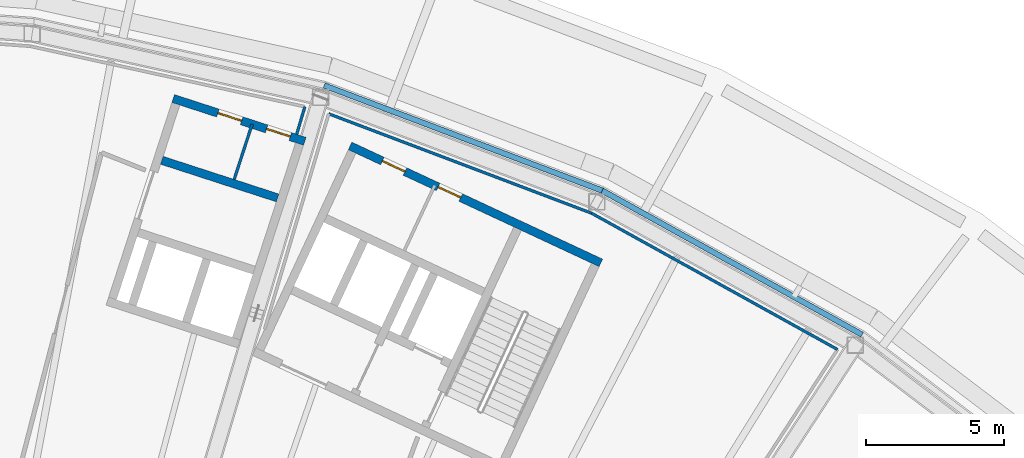
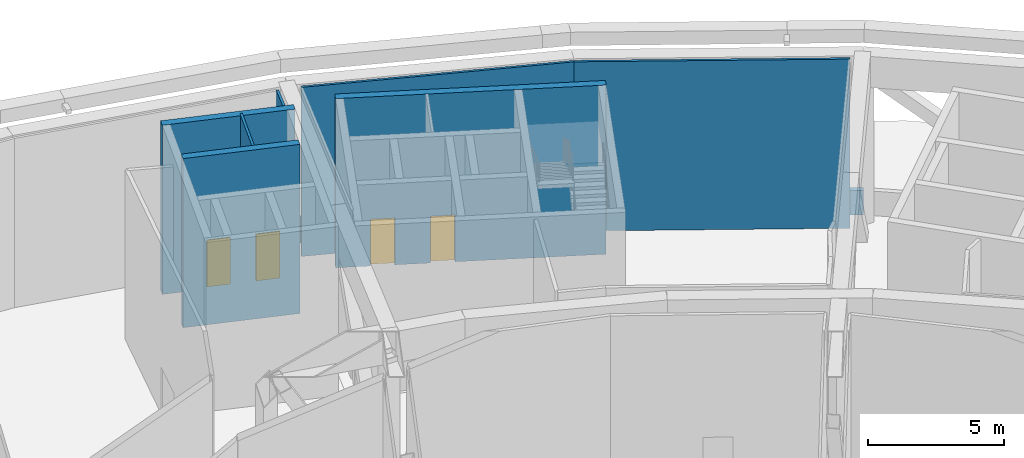
# One storey, part 11 of 24: 9 walls, 4 doors, 4 openings.
"""IFC4 building model written with IfcOpenShell, lengths in metres."""

from ifc_helpers import new_model, si_unit, direction, frame, frame_2d, origin, place, context, subcontext, project, spatial, rectangle, extrude, material, layer, layer_set, type_object, element, fill, save


model = new_model("IFC4")

# Units and contexts
model_context = context("Model", 3, precision=1e-05, world=origin(), true_north=direction((0.0, 1.0)))
body_context = subcontext(model_context, "Body", "Model", "MODEL_VIEW")
ifc_project = project(units=[si_unit("LENGTHUNIT", "METRE"), si_unit("AREAUNIT", "SQUARE_METRE"), si_unit("VOLUMEUNIT", "CUBIC_METRE"), si_unit("PLANEANGLEUNIT", "RADIAN"), si_unit("MASSUNIT", "GRAM", prefix="KILO")], contexts=[model_context])

# Site, building, storey
site_placement = place(None, origin())
site = spatial("IfcSite", under=ifc_project, at=site_placement, CompositionType="ELEMENT")
building_placement = place(site_placement, origin())
building = spatial("IfcBuilding", under=site, at=building_placement, Name="Tuul Gate Civic Tower", CompositionType="ELEMENT")
storey_placement = place(building_placement, frame((0.0, 0.0, 277.800048828125)))
storey = spatial("IfcBuildingStorey", under=building, at=storey_placement, Name="Wind floor 2", CompositionType="ELEMENT", Elevation=277.800048828125)

# Wall, openings, doors
ifc_material_1 = material(Name="Concrete C50/60", Category="concrete")
ifc_layer_1 = layer(ifc_material_1, 0.300048828125)
ifc_layer_set_1 = layer_set([ifc_layer_1], Name="Concrete C50/60")
wall_type_1 = type_object("IfcWallType", Name="Core wall C50/60", PredefinedType="SHEAR", material=ifc_layer_set_1)
wall_1_placement = place(storey_placement, frame((37.993408203125, 0.181884765625, 0.0), z_axis=(0.0, 0.0, 1.0), x_axis=(-0.906310338845, 0.422612789327, 0.0)))
wall_1 = element("IfcWall", 1, at=wall_1_placement, inside=storey, type_object=wall_type_1, Name="Core wall", PredefinedType="SHEAR", context=body_context, shape_type="SweptSolid", body=[
    extrude(rectangle(XDim=9.999755859375, YDim=0.300048828125, at=frame_2d((5.0, 0.0))), origin(), (0.0, 0.0, 1.0), 7.599853515625),
])
opening_1_placement = place(wall_1_placement, frame((5.587890625, 0.0, 0.0)))
opening_1 = element("IfcOpeningElement", 2, at=opening_1_placement, cuts=wall_1, Name="Opening AG-D20", PredefinedType="OPENING", context=body_context, shape_type="SweptSolid", body=[
    extrude(rectangle(XDim=0.89990234375, YDim=2.10009765625, at=frame_2d((0.449951171875, 1.050048828125))), frame((0.0, 0.16015625, 0.0), z_axis=(0.0, -1.0, 0.0), x_axis=(1.0, 0.0, 0.0)), (0.0, 0.0, 1.0), 0.320068359375),
])
opening_2_placement = place(wall_1_placement, frame((7.81201171875, 0.0, 0.0)))
opening_2 = element("IfcOpeningElement", 3, at=opening_2_placement, cuts=wall_1, Name="Opening AG-D21", PredefinedType="OPENING", context=body_context, shape_type="SweptSolid", body=[
    extrude(rectangle(XDim=0.89990234375, YDim=2.10009765625, at=frame_2d((0.449951171875, 1.050048828125))), frame((0.0, 0.16015625, 0.0), z_axis=(0.0, -1.0, 0.0), x_axis=(1.0, 0.0, 0.0)), (0.0, 0.0, 1.0), 0.320068359375),
])
ifc_material_2 = material(Name="Timber door leaf", Category="wood")
door_type = type_object("IfcDoorType", Name="Door D09", OperationType="NOTDEFINED", PredefinedType="DOOR", material=ifc_material_2)
door_1_placement = place(opening_1_placement, origin())
door_1 = element("IfcDoor", 4, at=door_1_placement, inside=storey, type_object=door_type, Name="Door AG-D20", OperationType="SINGLE_SWING_RIGHT", OverallHeight=2.10009765625, OverallWidth=0.89990234375, PredefinedType="DOOR", context=body_context, shape_type="SweptSolid", body=[
    extrude(rectangle(XDim=0.89990234375, YDim=2.10009765625, at=frame_2d((0.449951171875, 1.050048828125))), frame((0.0, 0.02490234375, 0.0), z_axis=(0.0, -1.0, 0.0), x_axis=(1.0, 0.0, 0.0)), (0.0, 0.0, 1.0), 0.050048828125),
])
fill(opening_1, door_1)
door_2_placement = place(opening_2_placement, origin())
door_2 = element("IfcDoor", 5, at=door_2_placement, inside=storey, type_object=door_type, Name="Door AG-D21", OperationType="SINGLE_SWING_RIGHT", OverallHeight=2.10009765625, OverallWidth=0.89990234375, PredefinedType="DOOR", context=body_context, shape_type="SweptSolid", body=[
    extrude(rectangle(XDim=0.89990234375, YDim=2.10009765625, at=frame_2d((0.449951171875, 1.050048828125))), frame((0.0, 0.02490234375, 0.0), z_axis=(0.0, -1.0, 0.0), x_axis=(1.0, 0.0, 0.0)), (0.0, 0.0, 1.0), 0.050048828125),
])
fill(opening_2, door_2)

# Walls
ifc_material_3 = material(Name="Concrete C40/50", Category="concrete")
ifc_layer_2 = layer(ifc_material_3, 0.199951171875)
ifc_layer_set_2 = layer_set([ifc_layer_2], Name="Concrete C40/50")
wall_type_2 = type_object("IfcWallType", Name="Crown parapet", PredefinedType="PARAPET", material=ifc_layer_set_2)
wall_2_placement = place(storey_placement, frame((47.436767578125, -2.412841796875, 0.0), z_axis=(0.0, 0.0, 1.0), x_axis=(-0.874638219217, 0.48477622207, 0.0)))
element("IfcWall", 6, at=wall_2_placement, inside=storey, type_object=wall_type_2, Name="Parapet", PredefinedType="PARAPET", context=body_context, shape_type="SweptSolid", body=[
    extrude(rectangle(XDim=10.74169921875, YDim=0.199951171875, at=frame_2d((5.370849609375, 0.0))), origin(), (0.0, 0.0, 1.0), 1.099853515625),
])
wall_3_placement = place(storey_placement, frame((38.083984375, 2.778564453125, 0.0), z_axis=(0.0, 0.0, 1.0), x_axis=(-0.935339690989, 0.353750848, 0.0)))
element("IfcWall", 7, at=wall_3_placement, inside=storey, type_object=wall_type_2, Name="Parapet", PredefinedType="PARAPET", context=body_context, shape_type="SweptSolid", body=[
    extrude(rectangle(XDim=10.788330078125, YDim=0.199951171875, at=frame_2d((5.39404296875, 0.0))), origin(), (0.0, 0.0, 1.0), 1.099853515625),
])
ifc_material_4 = material(Name="Concrete C40/50", Category="concrete")
ifc_layer_3 = layer(ifc_material_4, 0.300048828125)
ifc_layer_set_3 = layer_set([ifc_layer_3], Name="Concrete C40/50")
wall_type_3 = type_object("IfcWallType", Name="Lift shaft wall C40/50", PredefinedType="STANDARD", material=ifc_layer_set_3)
wall_4_placement = place(storey_placement, frame((26.310546875, 2.529541015625, 0.0), z_axis=(0.0, 0.0, 1.0), x_axis=(-0.951058531764, 0.30901079133, 0.0)))
element("IfcWall", 8, at=wall_4_placement, inside=storey, type_object=wall_type_3, Name="Shaft wall", PredefinedType="STANDARD", context=body_context, shape_type="SweptSolid", body=[
    extrude(rectangle(XDim=4.39990234375, YDim=0.300048828125, at=frame_2d((2.199951171875, 0.0))), origin(), (0.0, 0.0, 1.0), 7.599853515625),
])

# Wall, openings, doors
wall_5_placement = place(storey_placement, frame((27.29150390625, 4.57666015625, 0.0), z_axis=(0.0, 0.0, 1.0), x_axis=(-0.951067792613, 0.308982287281, 0.0)))
wall_5 = element("IfcWall", 9, at=wall_5_placement, inside=storey, type_object=wall_type_3, Name="Shaft wall", PredefinedType="STANDARD", context=body_context, shape_type="SweptSolid", body=[
    extrude(rectangle(XDim=5.0, YDim=0.300048828125, at=frame_2d((2.5, 0.0))), origin(), (0.0, 0.0, 1.0), 7.599853515625),
])
opening_3_placement = place(wall_5_placement, frame((0.550048828125, 0.0, 0.0)))
opening_3 = element("IfcOpeningElement", 10, at=opening_3_placement, cuts=wall_5, Name="Opening AG-D22", PredefinedType="OPENING", context=body_context, shape_type="SweptSolid", body=[
    extrude(rectangle(XDim=0.89990234375, YDim=2.10009765625, at=frame_2d((0.449951171875, 1.050048828125))), frame((0.0, 0.16015625, 0.0), z_axis=(0.0, -1.0, 0.0), x_axis=(1.0, 0.0, 0.0)), (0.0, 0.0, 1.0), 0.320068359375),
])
opening_4_placement = place(wall_5_placement, frame((2.39990234375, 0.0, 0.0)))
opening_4 = element("IfcOpeningElement", 11, at=opening_4_placement, cuts=wall_5, Name="Opening AG-D23", PredefinedType="OPENING", context=body_context, shape_type="SweptSolid", body=[
    extrude(rectangle(XDim=0.89990234375, YDim=2.10009765625, at=frame_2d((0.449951171875, 1.050048828125))), frame((0.0, 0.16015625, 0.0), z_axis=(0.0, -1.0, 0.0), x_axis=(1.0, 0.0, 0.0)), (0.0, 0.0, 1.0), 0.320068359375),
])
door_3_placement = place(opening_3_placement, origin())
door_3 = element("IfcDoor", 12, at=door_3_placement, inside=storey, type_object=door_type, Name="Door AG-D22", OperationType="SINGLE_SWING_LEFT", OverallHeight=2.10009765625, OverallWidth=0.89990234375, PredefinedType="DOOR", context=body_context, shape_type="SweptSolid", body=[
    extrude(rectangle(XDim=0.89990234375, YDim=2.10009765625, at=frame_2d((0.449951171875, 1.050048828125))), frame((0.0, 0.02490234375, 0.0), z_axis=(0.0, -1.0, 0.0), x_axis=(1.0, 0.0, 0.0)), (0.0, 0.0, 1.0), 0.050048828125),
])
fill(opening_3, door_3)
door_4_placement = place(opening_4_placement, origin())
door_4 = element("IfcDoor", 13, at=door_4_placement, inside=storey, type_object=door_type, Name="Door AG-D23", OperationType="SINGLE_SWING_LEFT", OverallHeight=2.10009765625, OverallWidth=0.89990234375, PredefinedType="DOOR", context=body_context, shape_type="SweptSolid", body=[
    extrude(rectangle(XDim=0.89990234375, YDim=2.10009765625, at=frame_2d((0.449951171875, 1.050048828125))), frame((0.0, 0.02490234375, 0.0), z_axis=(0.0, -1.0, 0.0), x_axis=(1.0, 0.0, 0.0)), (0.0, 0.0, 1.0), 0.050048828125),
])
fill(opening_4, door_4)

# Walls
ifc_material_5 = material(Name="Gypsum board partition")
ifc_layer_4 = layer(ifc_material_5, 0.10009765625)
ifc_layer_set_4 = layer_set([ifc_layer_4], Name="Gypsum board partition")
wall_type_4 = type_object("IfcWallType", Name="Partition P100", PredefinedType="PARTITIONING", material=ifc_layer_set_4)
for number, where, z_axis, x_axis, name in (
    (14, (28.158203125, 5.570068359375, 0.0), (0.0, 0.0, 1.0), (0.935341055081, -0.353747241233, 0.0), "p053"),
    (15, (37.662353515625, 1.9755859375, 0.0), (0.0, 0.0, 1.0), (0.874645302036, -0.484763442955, 0.0), "p054"),
):
    element("IfcWall", number, at=place(storey_placement, frame(where, z_axis=z_axis, x_axis=x_axis)), inside=storey, type_object=wall_type_4, Name=name, PredefinedType="PARTITIONING", context=body_context, shape_type="SweptSolid", body=[
        extrude(rectangle(XDim=10.1611328125, YDim=0.10009765625, at=frame_2d((5.08056640625, 0.0))), origin(), (0.0, 0.0, 1.0), 7.599853515625),
    ])
wall_6_placement = place(storey_placement, frame((27.295654296875, 5.82666015625, 0.0), z_axis=(0.0, 0.0, 1.0), x_axis=(-0.285302345782, -0.958437567863, 0.0)))
element("IfcWall", 16, at=wall_6_placement, inside=storey, type_object=wall_type_4, Name="p072", PredefinedType="PARTITIONING", context=body_context, shape_type="SweptSolid", body=[
    extrude(rectangle(XDim=1.04052734375, YDim=0.10009765625, at=frame_2d((0.520263671875, 0.0))), origin(), (0.0, 0.0, 1.0), 7.599853515625),
])
wall_7_placement = place(storey_placement, frame((24.740234375, 3.197509765625, 0.0), z_axis=(0.0, 0.0, 1.0), x_axis=(0.309138649025, 0.951016979701, 0.0)))
element("IfcWall", 17, at=wall_7_placement, inside=storey, type_object=wall_type_4, Name="bE4-BAND-0", PredefinedType="PARTITIONING", context=body_context, shape_type="SweptSolid", body=[
    extrude(rectangle(XDim=2.099853515625, YDim=0.10009765625, at=frame_2d((1.0498046875, 0.0))), origin(), (0.0, 0.0, 1.0), 7.599853515625),
])

save(model, "model.ifc")
